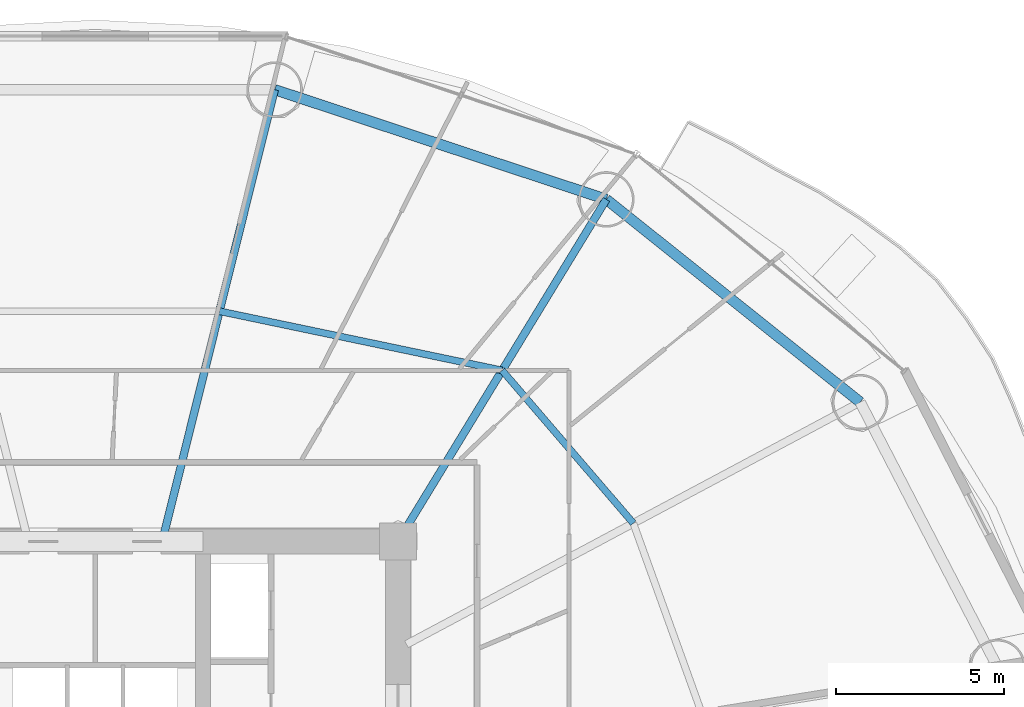
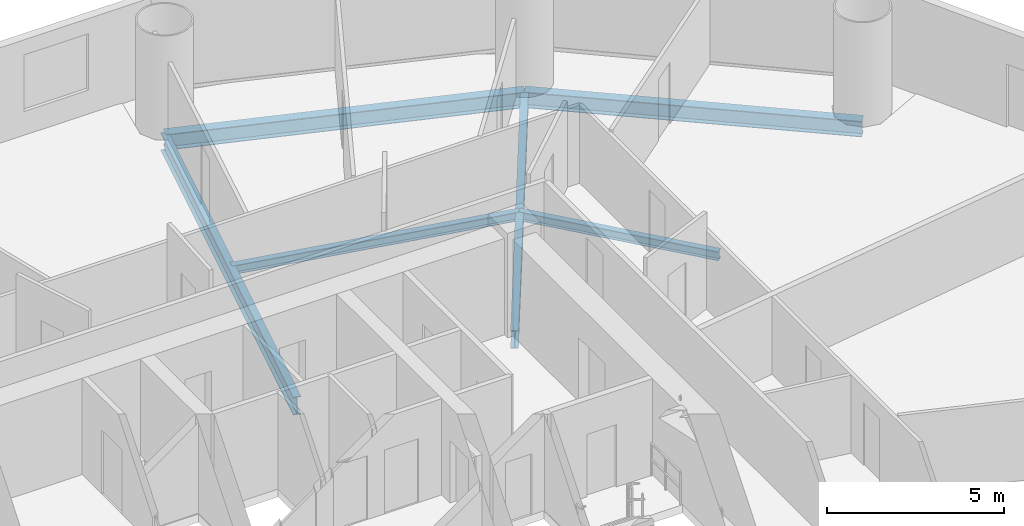
# One storey, part 17 of 28: 6 beams.
"""IFC4 building model written with IfcOpenShell, lengths in metres."""

from ifc_helpers import new_model, si_unit, direction, frame, origin, origin_2d, place, context, subcontext, project, spatial, i_section, extrude, material, material_profile, profile_set, type_object, element, save


model = new_model("IFC4")

# Units and contexts
model_context = context("Model", 3, precision=1e-05, world=origin(), true_north=direction((-0.2419218956, 0.970295726276)))
body_context = subcontext(model_context, "Body", "Model", "MODEL_VIEW")
ifc_project = project(units=[si_unit("LENGTHUNIT", "METRE"), si_unit("AREAUNIT", "SQUARE_METRE"), si_unit("VOLUMEUNIT", "CUBIC_METRE"), si_unit("PLANEANGLEUNIT", "RADIAN"), si_unit("MASSUNIT", "GRAM", prefix="KILO")], contexts=[model_context])

# Site, building, storey
site_placement = place(None, origin())
site = spatial("IfcSite", under=ifc_project, at=site_placement, CompositionType="ELEMENT")
building_placement = place(site_placement, origin())
building = spatial("IfcBuilding", under=site, at=building_placement, Name="Cobrevalo Terracotta Tower", CompositionType="ELEMENT")
storey_placement = place(building_placement, frame((0.0, 0.0, 34.800048828125)))
storey = spatial("IfcBuildingStorey", under=building, at=storey_placement, Name="L08", CompositionType="ELEMENT", Elevation=34.800048828125)

# Beams
ifc_material = material(Name="Steel S355", Category="steel")
ifc_material_profile_1 = material_profile(ifc_material, i_section(OverallWidth=0.22998046875, OverallDepth=0.616943359375, WebThickness=0.01318359375, FlangeThickness=0.022216796875, at=origin_2d()), Name="W 610x140")
ifc_profile_set_1 = profile_set([ifc_material_profile_1], Name="Steel S355")
beam_type_1 = type_object("IfcBeamType", Name="Structural Beam W 610x140 (Steel S355)", PredefinedType="BEAM", material=ifc_profile_set_1)
beam_1_placement = place(storey_placement, frame((53.19482421875, 44.967529296875, -0.588623046875), z_axis=(-0.520309892051, -0.853977526773, 0.0), x_axis=(0.853977526773, -0.520309892051, 0.0)))
element("IfcBeam", 1, at=beam_1_placement, inside=storey, type_object=beam_type_1, Name="L08 radial floor girder 03", PredefinedType="BEAM", context=body_context, shape_type="SweptSolid", body=[
    extrude(i_section(OverallWidth=0.22998046875, OverallDepth=0.616943359375, WebThickness=0.01318359375, FlangeThickness=0.022216796875, at=origin_2d()), origin(), (0.0, 0.0, 1.0), 11.906005859375),
])
beam_2_placement = place(storey_placement, frame((43.335693359375, 48.230224609375, -0.588623046875), z_axis=(-0.241596254786, -0.970376859614, 0.0), x_axis=(0.970376859614, -0.241596254786, 0.0)))
element("IfcBeam", 2, at=beam_2_placement, inside=storey, type_object=beam_type_1, Name="L08 radial floor girder 04", PredefinedType="BEAM", context=body_context, shape_type="SweptSolid", body=[
    extrude(i_section(OverallWidth=0.22998046875, OverallDepth=0.616943359375, WebThickness=0.01318359375, FlangeThickness=0.022216796875, at=origin_2d()), origin(), (0.0, 0.0, 1.0), 13.577392578125),
])
ifc_material_profile_2 = material_profile(ifc_material, i_section(OverallWidth=0.2041015625, OverallDepth=0.305908203125, WebThickness=0.008544921875, FlangeThickness=0.0146484375, at=origin_2d()), Name="W 310x67")
ifc_profile_set_2 = profile_set([ifc_material_profile_2], Name="Steel S355")
beam_type_2 = type_object("IfcBeamType", Name="Structural Joist W 310x67 (Steel S355)", PredefinedType="JOIST", material=ifc_profile_set_2)
beam_3_placement = place(storey_placement, frame((53.997802734375, 35.33984375, -0.43310546875), z_axis=(-0.651328404454, 0.758795960421, 0.0), x_axis=(-0.758795960421, -0.651328404454, 0.0)))
element("IfcBeam", 3, at=beam_3_placement, inside=storey, type_object=beam_type_2, Name="L08 circumferential secondary floor joist 02", PredefinedType="JOIST", context=body_context, shape_type="SweptSolid", body=[
    extrude(i_section(OverallWidth=0.2041015625, OverallDepth=0.305908203125, WebThickness=0.008544921875, FlangeThickness=0.0146484375, at=origin_2d()), origin(), (0.0, 0.0, 1.0), 5.98828125),
])
beam_4_placement = place(storey_placement, frame((50.097412109375, 39.8837890625, -0.43310546875), z_axis=(-0.978784523904, 0.204892302848, 0.0), x_axis=(-0.204892302848, -0.978784523904, 0.0)))
element("IfcBeam", 4, at=beam_4_placement, inside=storey, type_object=beam_type_2, Name="L08 circumferential secondary floor joist 03", PredefinedType="JOIST", context=body_context, shape_type="SweptSolid", body=[
    extrude(i_section(OverallWidth=0.2041015625, OverallDepth=0.305908203125, WebThickness=0.008544921875, FlangeThickness=0.0146484375, at=origin_2d()), origin(), (0.0, 0.0, 1.0), 8.583984375),
])
ifc_material_profile_3 = material_profile(ifc_material, i_section(OverallWidth=0.31201171875, OverallDepth=0.54296875, WebThickness=0.0126953125, FlangeThickness=0.020263671875, at=origin_2d()), Name="W 530x150")
ifc_profile_set_3 = profile_set([ifc_material_profile_3], Name="Steel S355")
beam_type_3 = type_object("IfcBeamType", Name="Structural Spandrel W 530x150 (Steel S355)", PredefinedType="SPANDREL", material=ifc_profile_set_3)
beam_5_placement = place(storey_placement, frame((60.74072265625, 38.939208984375, -0.551513671875), z_axis=(-0.781292806807, 0.62416468182, 0.0), x_axis=(-0.62416468182, -0.781292806807, 0.0)))
element("IfcBeam", 5, at=beam_5_placement, inside=storey, type_object=beam_type_3, Name="L08 perimeter ring spandrel 02", PredefinedType="SPANDREL", context=body_context, shape_type="SweptSolid", body=[
    extrude(i_section(OverallWidth=0.31201171875, OverallDepth=0.54296875, WebThickness=0.0126953125, FlangeThickness=0.020263671875, at=origin_2d()), origin(), (0.0, 0.0, 1.0), 9.658203125),
])
beam_6_placement = place(storey_placement, frame((53.19482421875, 44.967529296875, -0.551513671875), z_axis=(-0.949365190876, 0.314174687638, 0.0), x_axis=(-0.314174687638, -0.949365190876, 0.0)))
element("IfcBeam", 6, at=beam_6_placement, inside=storey, type_object=beam_type_3, Name="L08 perimeter ring spandrel 03", PredefinedType="SPANDREL", context=body_context, shape_type="SweptSolid", body=[
    extrude(i_section(OverallWidth=0.31201171875, OverallDepth=0.54296875, WebThickness=0.0126953125, FlangeThickness=0.020263671875, at=origin_2d()), origin(), (0.0, 0.0, 1.0), 10.385009765625),
])

save(model, "model.ifc")
